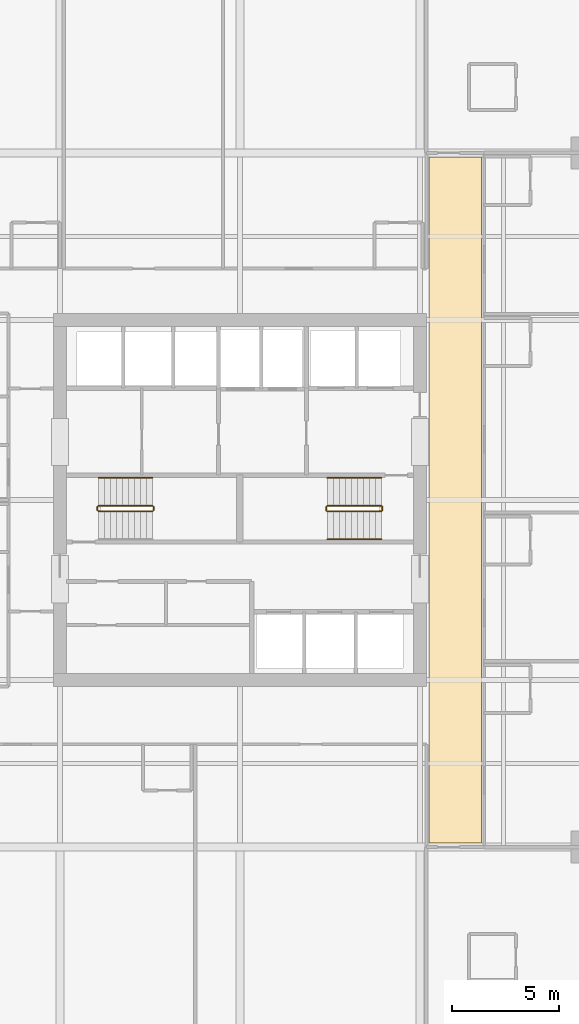
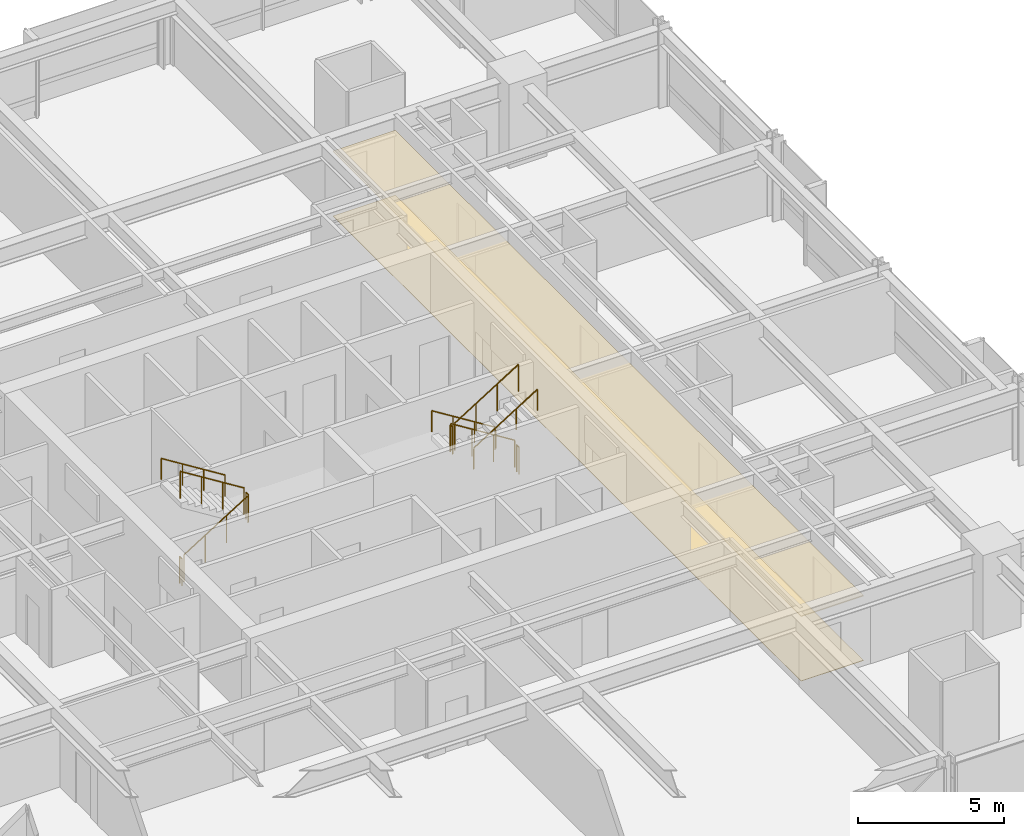
# One storey, part 33 of 34: 11 railings, 2 coverings.
"""IFC4 building model written with IfcOpenShell, lengths in metres."""

from ifc_helpers import new_model, si_unit, direction, frame, origin, origin_2d, place, context, subcontext, project, spatial, polyline, circle, outline, extrude, material, layer, layer_set, type_object, element, save


model = new_model("IFC4")

# Units and contexts
model_context = context("Model", 3, precision=1e-05, world=origin(), true_north=direction((0.0, 1.0)))
body_context = subcontext(model_context, "Body", "Model", "MODEL_VIEW")
ifc_project = project(units=[si_unit("LENGTHUNIT", "METRE"), si_unit("AREAUNIT", "SQUARE_METRE"), si_unit("VOLUMEUNIT", "CUBIC_METRE"), si_unit("PLANEANGLEUNIT", "RADIAN"), si_unit("MASSUNIT", "GRAM", prefix="KILO")], contexts=[model_context])

# Site, building, storey
site_placement = place(None, origin())
site = spatial("IfcSite", under=ifc_project, at=site_placement, CompositionType="ELEMENT")
building_placement = place(site_placement, origin())
building = spatial("IfcBuilding", under=site, at=building_placement, Name="Drelvath Grand Hotel", CompositionType="ELEMENT")
storey_placement = place(building_placement, frame((0.0, 0.0, 109.300048828125)))
storey = spatial("IfcBuildingStorey", under=building, at=storey_placement, Name="L27", CompositionType="ELEMENT", Elevation=109.300048828125)

# Railings
ifc_material_1 = material(Name="Painted Steel S275", Category="steel")
railing_type_1 = type_object("IfcRailingType", Name="Core Stair Wall Handrail 900", PredefinedType="HANDRAIL", material=ifc_material_1)
for number, where, name in (
    (1, (-4.080078125, 28.030029296875, 1.925048828125), "L27 ST-1 stair handrail 2"),
    (2, (6.60009765625, 28.030029296875, 0.175048828125), "L27 ST-2 stair handrail 1"),
):
    element("IfcRailing", number, at=place(storey_placement, frame(where)), inside=storey, type_object=railing_type_1, Name=name, PredefinedType="HANDRAIL", context=body_context, shape_type="SweptSolid", body=[
        extrude(circle(Radius=0.02392578125, at=origin_2d()), frame((0.0, 0.0, 0.8759765625), z_axis=(-0.848007534815, 0.0, 0.529984170421), x_axis=(0.0, -1.0, 0.0)), (0.0, 0.0, 1.0), 2.9716796875),
        extrude(circle(Radius=0.02099609375, at=origin_2d()), origin(), (0.0, 0.0, 1.0), 0.851806640625),
        extrude(circle(Radius=0.02099609375, at=origin_2d()), frame((-0.840087890625, 0.0, 0.52490234375)), (0.0, 0.0, 1.0), 0.851806640625),
        extrude(circle(Radius=0.02099609375, at=origin_2d()), frame((-1.679931640625, 0.0, 1.050048828125)), (0.0, 0.0, 1.0), 0.851806640625),
        extrude(circle(Radius=0.02099609375, at=origin_2d()), frame((-2.52001953125, 0.0, 1.574951171875)), (0.0, 0.0, 1.0), 0.851806640625),
    ])
railing_1_placement = place(storey_placement, frame((4.080078125, 25.169921875, 1.925048828125)))
element("IfcRailing", 3, at=railing_1_placement, inside=storey, type_object=railing_type_1, Name="L27 ST-2 stair handrail 2", PredefinedType="HANDRAIL", context=body_context, shape_type="SweptSolid", body=[
    extrude(circle(Radius=0.02392578125, at=origin_2d()), frame((0.0, 0.0, 0.8759765625), z_axis=(0.848007534815, 0.0, 0.529984170421), x_axis=(0.0, 1.0, 0.0)), (0.0, 0.0, 1.0), 2.9716796875),
    extrude(circle(Radius=0.02099609375, at=origin_2d()), origin(), (0.0, 0.0, 1.0), 0.851806640625),
    extrude(circle(Radius=0.02099609375, at=origin_2d()), frame((0.840087890625, 0.0, 0.52490234375)), (0.0, 0.0, 1.0), 0.851806640625),
    extrude(circle(Radius=0.02099609375, at=origin_2d()), frame((1.679931640625, 0.0, 1.050048828125)), (0.0, 0.0, 1.0), 0.851806640625),
    extrude(circle(Radius=0.02099609375, at=origin_2d()), frame((2.52001953125, 0.0, 1.574951171875)), (0.0, 0.0, 1.0), 0.851806640625),
])
railing_type_2 = type_object("IfcRailingType", Name="Core Stair Well Guardrail 1100", PredefinedType="GUARDRAIL", material=ifc_material_1)
railing_2_placement = place(storey_placement, frame((-6.60009765625, 26.469970703125, 0.175048828125)))
element("IfcRailing", 4, at=railing_2_placement, inside=storey, type_object=railing_type_2, Name="L27 ST-1 stair guard 1", PredefinedType="GUARDRAIL", context=body_context, shape_type="SweptSolid", body=[
    extrude(circle(Radius=0.02392578125, at=origin_2d()), frame((0.0, 0.0, 1.1259765625), z_axis=(0.848007534815, 0.0, 0.529984170421), x_axis=(0.0, 1.0, 0.0)), (0.0, 0.0, 1.0), 2.9716796875),
    extrude(circle(Radius=0.02099609375, at=origin_2d()), origin(), (0.0, 0.0, 1.0), 1.101806640625),
    extrude(circle(Radius=0.02099609375, at=origin_2d()), frame((0.840087890625, 0.0, 0.52490234375)), (0.0, 0.0, 1.0), 1.101806640625),
    extrude(circle(Radius=0.02099609375, at=origin_2d()), frame((1.679931640625, 0.0, 1.050048828125)), (0.0, 0.0, 1.0), 1.101806640625),
    extrude(circle(Radius=0.02099609375, at=origin_2d()), frame((2.52001953125, 0.0, 1.574951171875)), (0.0, 0.0, 1.0), 1.101806640625),
])
railing_3_placement = place(storey_placement, frame((-4.030029296875, 26.52001953125, 1.75)))
element("IfcRailing", 5, at=railing_3_placement, inside=storey, type_object=railing_type_2, Name="L27 ST-1 stair guard 2", PredefinedType="GUARDRAIL", context=body_context, shape_type="SweptSolid", body=[
    extrude(circle(Radius=0.02392578125, at=origin_2d()), frame((0.0, 0.0, 1.1259765625), z_axis=(0.0, 1.0, 0.0), x_axis=(-1.0, 0.0, 0.0)), (0.0, 0.0, 1.0), 0.159912109375),
    extrude(circle(Radius=0.02099609375, at=origin_2d()), origin(), (0.0, 0.0, 1.0), 1.101806640625),
    extrude(circle(Radius=0.02099609375, at=origin_2d()), frame((0.0, 0.159912109375, 0.0)), (0.0, 0.0, 1.0), 1.101806640625),
])
railing_4_placement = place(storey_placement, frame((-4.080078125, 26.72998046875, 1.925048828125)))
element("IfcRailing", 6, at=railing_4_placement, inside=storey, type_object=railing_type_2, Name="L27 ST-1 stair guard 3", PredefinedType="GUARDRAIL", context=body_context, shape_type="SweptSolid", body=[
    extrude(circle(Radius=0.02392578125, at=origin_2d()), frame((0.0, 0.0, 1.1259765625), z_axis=(-0.848007534815, 0.0, 0.529984170421), x_axis=(0.0, -1.0, 0.0)), (0.0, 0.0, 1.0), 2.9716796875),
    extrude(circle(Radius=0.02099609375, at=origin_2d()), origin(), (0.0, 0.0, 1.0), 1.101806640625),
    extrude(circle(Radius=0.02099609375, at=origin_2d()), frame((-0.840087890625, 0.0, 0.52490234375)), (0.0, 0.0, 1.0), 1.101806640625),
    extrude(circle(Radius=0.02099609375, at=origin_2d()), frame((-1.679931640625, 0.0, 1.050048828125)), (0.0, 0.0, 1.0), 1.101806640625),
    extrude(circle(Radius=0.02099609375, at=origin_2d()), frame((-2.52001953125, 0.0, 1.574951171875)), (0.0, 0.0, 1.0), 1.101806640625),
])
railing_5_placement = place(storey_placement, frame((-6.64990234375, 26.52001953125, 0.0)))
element("IfcRailing", 7, at=railing_5_placement, inside=storey, type_object=railing_type_2, Name="L27 ST-1 stair guard 4", PredefinedType="GUARDRAIL", context=body_context, shape_type="SweptSolid", body=[
    extrude(circle(Radius=0.02392578125, at=origin_2d()), frame((0.0, 0.0, 1.1259765625), z_axis=(0.0, 1.0, 0.0), x_axis=(-1.0, 0.0, 0.0)), (0.0, 0.0, 1.0), 0.159912109375),
    extrude(circle(Radius=0.02099609375, at=origin_2d()), origin(), (0.0, 0.0, 1.0), 1.101806640625),
    extrude(circle(Radius=0.02099609375, at=origin_2d()), frame((0.0, 0.159912109375, 0.0)), (0.0, 0.0, 1.0), 1.101806640625),
])
railing_6_placement = place(storey_placement, frame((6.60009765625, 26.72998046875, 0.175048828125)))
element("IfcRailing", 8, at=railing_6_placement, inside=storey, type_object=railing_type_2, Name="L27 ST-2 stair guard 1", PredefinedType="GUARDRAIL", context=body_context, shape_type="SweptSolid", body=[
    extrude(circle(Radius=0.02392578125, at=origin_2d()), frame((0.0, 0.0, 1.1259765625), z_axis=(-0.848007534815, 0.0, 0.529984170421), x_axis=(0.0, -1.0, 0.0)), (0.0, 0.0, 1.0), 2.9716796875),
    extrude(circle(Radius=0.02099609375, at=origin_2d()), origin(), (0.0, 0.0, 1.0), 1.101806640625),
    extrude(circle(Radius=0.02099609375, at=origin_2d()), frame((-0.840087890625, 0.0, 0.52490234375)), (0.0, 0.0, 1.0), 1.101806640625),
    extrude(circle(Radius=0.02099609375, at=origin_2d()), frame((-1.679931640625, 0.0, 1.050048828125)), (0.0, 0.0, 1.0), 1.101806640625),
    extrude(circle(Radius=0.02099609375, at=origin_2d()), frame((-2.52001953125, 0.0, 1.574951171875)), (0.0, 0.0, 1.0), 1.101806640625),
])
railing_7_placement = place(storey_placement, frame((4.030029296875, 26.679931640625, 1.75)))
element("IfcRailing", 9, at=railing_7_placement, inside=storey, type_object=railing_type_2, Name="L27 ST-2 stair guard 2", PredefinedType="GUARDRAIL", context=body_context, shape_type="SweptSolid", body=[
    extrude(circle(Radius=0.02392578125, at=origin_2d()), frame((0.0, 0.0, 1.1259765625), z_axis=(0.0, -1.0, 0.0), x_axis=(1.0, 0.0, 0.0)), (0.0, 0.0, 1.0), 0.159912109375),
    extrude(circle(Radius=0.02099609375, at=origin_2d()), origin(), (0.0, 0.0, 1.0), 1.101806640625),
    extrude(circle(Radius=0.02099609375, at=origin_2d()), frame((0.0, -0.159912109375, 0.0)), (0.0, 0.0, 1.0), 1.101806640625),
])
railing_8_placement = place(storey_placement, frame((4.080078125, 26.469970703125, 1.925048828125)))
element("IfcRailing", 10, at=railing_8_placement, inside=storey, type_object=railing_type_2, Name="L27 ST-2 stair guard 3", PredefinedType="GUARDRAIL", context=body_context, shape_type="SweptSolid", body=[
    extrude(circle(Radius=0.02392578125, at=origin_2d()), frame((0.0, 0.0, 1.1259765625), z_axis=(0.848007534815, 0.0, 0.529984170421), x_axis=(0.0, 1.0, 0.0)), (0.0, 0.0, 1.0), 2.9716796875),
    extrude(circle(Radius=0.02099609375, at=origin_2d()), origin(), (0.0, 0.0, 1.0), 1.101806640625),
    extrude(circle(Radius=0.02099609375, at=origin_2d()), frame((0.840087890625, 0.0, 0.52490234375)), (0.0, 0.0, 1.0), 1.101806640625),
    extrude(circle(Radius=0.02099609375, at=origin_2d()), frame((1.679931640625, 0.0, 1.050048828125)), (0.0, 0.0, 1.0), 1.101806640625),
    extrude(circle(Radius=0.02099609375, at=origin_2d()), frame((2.52001953125, 0.0, 1.574951171875)), (0.0, 0.0, 1.0), 1.101806640625),
])
railing_9_placement = place(storey_placement, frame((6.64990234375, 26.679931640625, 0.0)))
element("IfcRailing", 11, at=railing_9_placement, inside=storey, type_object=railing_type_2, Name="L27 ST-2 stair guard 4", PredefinedType="GUARDRAIL", context=body_context, shape_type="SweptSolid", body=[
    extrude(circle(Radius=0.02392578125, at=origin_2d()), frame((0.0, 0.0, 1.1259765625), z_axis=(0.0, -1.0, 0.0), x_axis=(1.0, 0.0, 0.0)), (0.0, 0.0, 1.0), 0.159912109375),
    extrude(circle(Radius=0.02099609375, at=origin_2d()), origin(), (0.0, 0.0, 1.0), 1.101806640625),
    extrude(circle(Radius=0.02099609375, at=origin_2d()), frame((0.0, -0.159912109375, 0.0)), (0.0, 0.0, 1.0), 1.101806640625),
])

# Coverings
ifc_material_2 = material(Name="Woven Wool Broadloom Carpet")
ifc_layer_1 = layer(ifc_material_2, 0.01806640625)
ifc_layer_set_1 = layer_set([ifc_layer_1], Name="Woven Wool Broadloom Carpet")
covering_type_1 = type_object("IfcCoveringType", Name="Hospitality Broadloom Carpet 18", PredefinedType="FLOORING", material=ifc_layer_set_1)
covering_1_placement = place(storey_placement, origin())
element("IfcCovering", 12, at=covering_1_placement, inside=storey, type_object=covering_type_1, Name="L27 East Spine Carpet", PredefinedType="FLOORING", context=body_context, shape_type="SweptSolid", body=[
    extrude(outline(polyline([(11.280029296875, 11.0), (11.280029296875, 43.0), (8.820068359375, 43.0), (8.820068359375, 11.0), (11.280029296875, 11.0)])), origin(), (0.0, 0.0, 1.0), 0.01806640625),
])
ifc_material_3 = material(Name="Anodised Aluminium Alloy", Category="aluminium")
ifc_layer_2 = layer(ifc_material_3, 0.0400390625)
ifc_layer_set_2 = layer_set([ifc_layer_2], Name="Anodised Aluminium Alloy")
covering_type_2 = type_object("IfcCoveringType", Name="Perforated Metal Corridor Ceiling 40", PredefinedType="CEILING", material=ifc_layer_set_2)
covering_2_placement = place(storey_placement, frame((0.0, 0.0, 2.68994140625)))
element("IfcCovering", 13, at=covering_2_placement, inside=storey, type_object=covering_type_2, Name="L27 East Spine Ceiling", PredefinedType="CEILING", context=body_context, shape_type="SweptSolid", body=[
    extrude(outline(polyline([(11.280029296875, 11.0), (11.280029296875, 43.0), (8.820068359375, 43.0), (8.820068359375, 11.0), (11.280029296875, 11.0)])), origin(), (0.0, 0.0, 1.0), 0.0400390625),
])

save(model, "model.ifc")
